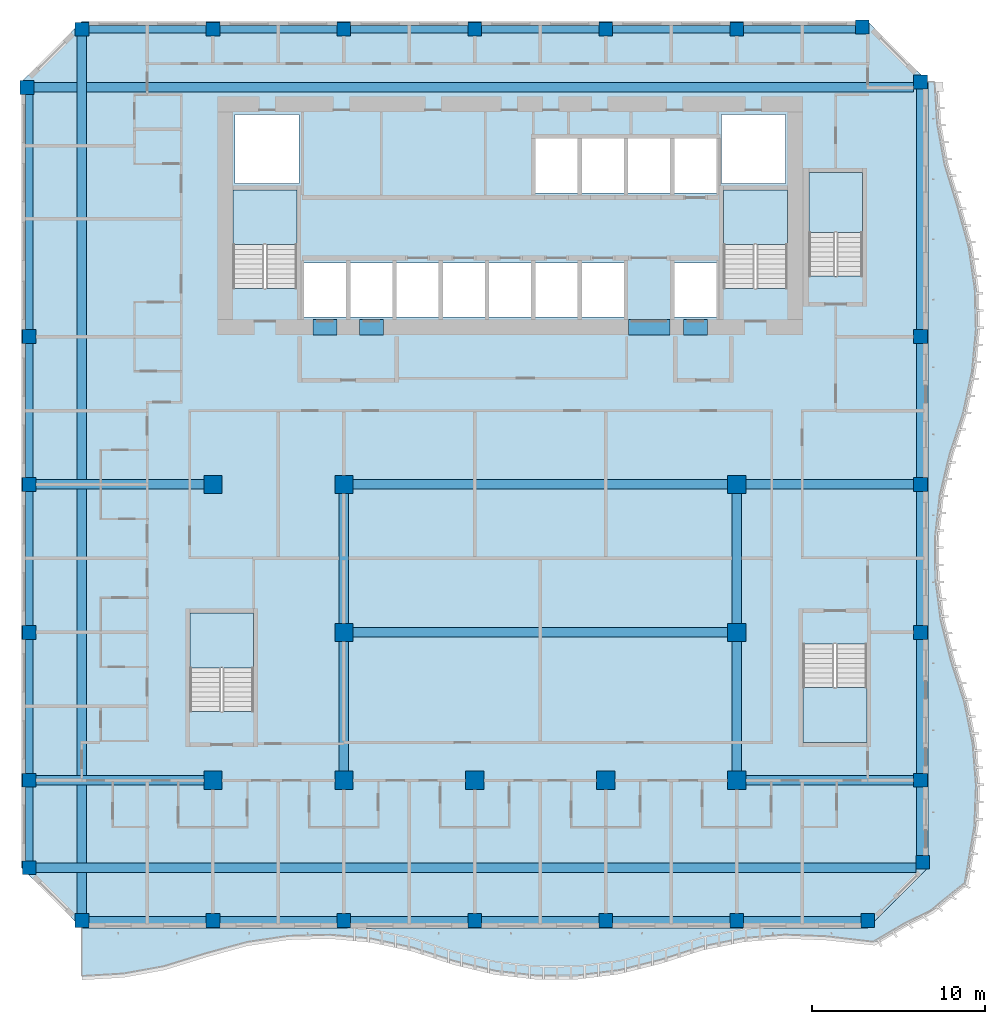
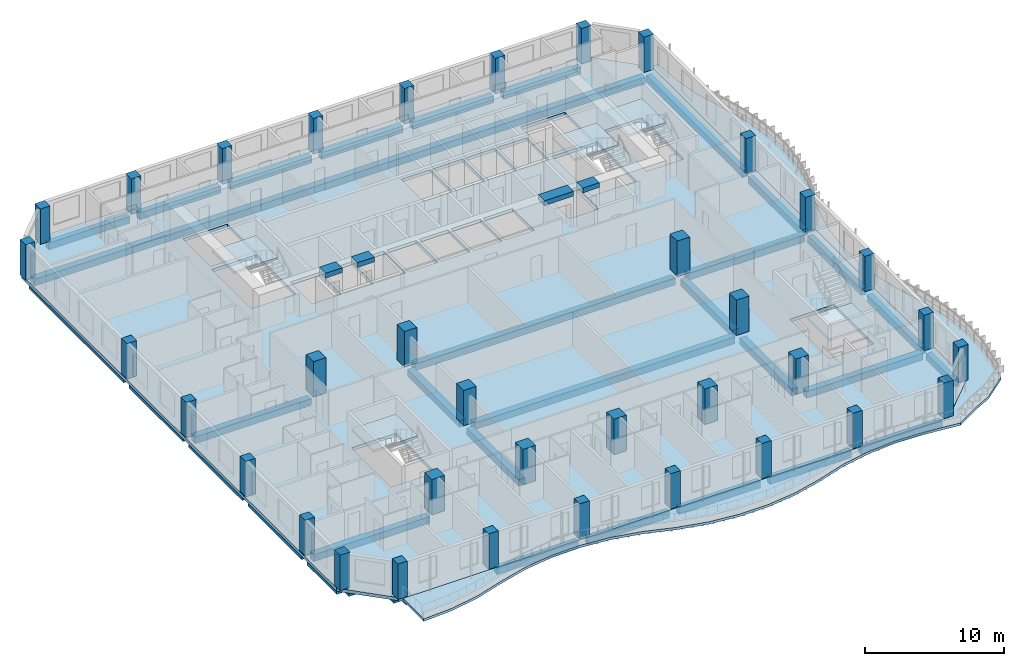
# One storey, part 1 of 22: 39 beams, 36 columns, 7 slabs, 5 elements without a shape of their own.
"""IFC4 building model written with IfcOpenShell, lengths in metres."""

from ifc_helpers import new_model, si_unit, direction, frame, origin, origin_2d, place, context, subcontext, project, spatial, polyline, rectangle, outline, extrude, source, transform, mapped, material, layer, layer_set, material_profile, profile_set, type_object, element, aggregate, save


model = new_model("IFC4")

# Units and contexts
model_context = context("Model", 3, precision=1e-05, world=origin(), true_north=direction((0.0, 1.0)))
body_context = subcontext(model_context, "Body", "Model", "MODEL_VIEW")
ifc_project = project(units=[si_unit("LENGTHUNIT", "METRE"), si_unit("AREAUNIT", "SQUARE_METRE"), si_unit("VOLUMEUNIT", "CUBIC_METRE"), si_unit("PLANEANGLEUNIT", "RADIAN"), si_unit("MASSUNIT", "GRAM", prefix="KILO")], contexts=[model_context])

# Site, building, storey
site_placement = place(None, origin())
site = spatial("IfcSite", under=ifc_project, at=site_placement, CompositionType="ELEMENT")
building_placement = place(site_placement, origin())
building = spatial("IfcBuilding", under=site, at=building_placement, Name="Kilnfold Tower and Market Hall", CompositionType="ELEMENT")
storey_placement = place(building_placement, frame((0.0, 0.0, 171.89990234375)))
storey = spatial("IfcBuildingStorey", under=building, at=storey_placement, Name="L40", CompositionType="ELEMENT", Elevation=171.89990234375)

# Columns
ifc_material_1 = material(Name="Concrete C70", Category="concrete")
ifc_material_profile_1 = material_profile(ifc_material_1, rectangle(XDim=0.800048828125, YDim=0.800048828125, at=origin_2d()), Name="RC 800x800")
ifc_profile_set_1 = profile_set([ifc_material_profile_1], Name="Concrete C70")
column_type_1 = type_object("IfcColumnType", Name="COLUMN 800X800 C70", PredefinedType="COLUMN", material=ifc_profile_set_1)
shared_shape_1 = source(origin(), body_context, "Body", "SweptSolid", [
    extrude(rectangle(XDim=0.800048828125, YDim=0.800048828125, at=origin_2d()), origin(), (0.0, 0.0, 1.0), 3.1201171875),
])
for number, where, z_axis, x_axis, name in (
    (1, (-26.931884765625, 22.431884765625, 0.0), (0.0, 0.0, 1.0), (1.0, 0.0, 0.0), "Column C-B5-1H"),
    (2, (-26.800048828125, -22.75, 0.0), (0.0, 0.0, 1.0), (1.0, 0.0, 0.0), "Column C-B5-1B"),
    (3, (-26.800048828125, -17.6875, 0.0), (0.0, 0.0, 1.0), (1.0, 0.0, 0.0), "Column C-B5-1C"),
    (4, (-26.800048828125, -9.125, 0.0), (0.0, 0.0, 1.0), (1.0, 0.0, 0.0), "Column C-B5-1D"),
    (5, (-26.800048828125, -0.5625, 0.0), (0.0, 0.0, 1.0), (1.0, 0.0, 0.0), "Column C-B5-1E"),
    (6, (-26.800048828125, 8.0, 0.0), (0.0, 0.0, 1.0), (1.0, 0.0, 0.0), "Column C-B5-1F"),
    (7, (-23.75, -25.800048828125, 0.0), (0.0, 0.0, 1.0), (1.0, 0.0, 0.0), "Column C-B5-2A"),
    (8, (-23.75, 25.800048828125, 0.0), (0.0, 0.0, 1.0), (1.0, 0.0, 0.0), "Column C-B5-2I"),
    (9, (-16.166748046875, -25.800048828125, 0.0), (0.0, 0.0, 1.0), (1.0, 0.0, 0.0), "Column C-B5-3A"),
    (10, (-16.166748046875, 25.800048828125, 0.0), (0.0, 0.0, 1.0), (1.0, 0.0, 0.0), "Column C-B5-3I"),
    (11, (-8.583251953125, -25.800048828125, 0.0), (0.0, 0.0, 1.0), (1.0, 0.0, 0.0), "Column C-B5-4A"),
    (12, (-8.583251953125, 25.800048828125, 0.0), (0.0, 0.0, 1.0), (1.0, 0.0, 0.0), "Column C-B5-4I"),
    (13, (-1.0, -25.800048828125, 0.0), (0.0, 0.0, 1.0), (1.0, 0.0, 0.0), "Column C-B5-5A"),
    (14, (-1.0, 25.800048828125, 0.0), (0.0, 0.0, 1.0), (1.0, 0.0, 0.0), "Column C-B5-5I"),
    (15, (6.583251953125, -25.800048828125, 0.0), (0.0, 0.0, 1.0), (1.0, 0.0, 0.0), "Column C-B5-6A"),
    (16, (6.583251953125, 25.800048828125, 0.0), (0.0, 0.0, 1.0), (1.0, 0.0, 0.0), "Column C-B5-6I"),
    (17, (14.166748046875, -25.800048828125, 0.0), (0.0, 0.0, 1.0), (1.0, 0.0, 0.0), "Column C-B5-7A"),
    (18, (14.166748046875, 25.800048828125, 0.0), (0.0, 0.0, 1.0), (1.0, 0.0, 0.0), "Column C-B5-7I"),
    (19, (21.431884765625, 25.931884765625, 0.0), (0.0, 0.0, 1.0), (1.0, 0.0, 0.0), "Column C-B5-8I"),
    (20, (21.75, -25.800048828125, 0.0), (0.0, 0.0, 1.0), (1.0, 0.0, 0.0), "Column C-B5-8A"),
    (21, (24.800048828125, -17.6875, 0.0), (0.0, 0.0, 1.0), (1.0, 0.0, 0.0), "Column C-B5-9C"),
    (22, (24.800048828125, -9.125, 0.0), (0.0, 0.0, 1.0), (1.0, 0.0, 0.0), "Column C-B5-9D"),
    (23, (24.800048828125, -0.5625, 0.0), (0.0, 0.0, 1.0), (1.0, 0.0, 0.0), "Column C-B5-9E"),
    (24, (24.800048828125, 8.0, 0.0), (0.0, 0.0, 1.0), (1.0, 0.0, 0.0), "Column C-B5-9F"),
    (25, (24.800048828125, 22.75, 0.0), (0.0, 0.0, 1.0), (1.0, 0.0, 0.0), "Column C-B5-9H"),
    (26, (24.931884765625, -22.431884765625, 0.0), (0.0, 0.0, 1.0), (1.0, 0.0, 0.0), "Column C-B5-9B"),
):
    element("IfcColumn", number, at=place(storey_placement, frame(where, z_axis=z_axis, x_axis=x_axis)), inside=storey, type_object=column_type_1, Name=name, PredefinedType="COLUMN", context=body_context, shape_type="MappedRepresentation", body=[
        mapped(shared_shape_1, transform((0.0, 0.0, 0.0))),
    ])
ifc_material_2 = material(Name="Concrete C70", Category="concrete")
ifc_material_profile_2 = material_profile(ifc_material_2, rectangle(XDim=1.050048828125, YDim=1.050048828125, at=origin_2d()), Name="RC 1050x1050")
ifc_profile_set_2 = profile_set([ifc_material_profile_2], Name="Concrete C70")
column_type_2 = type_object("IfcColumnType", Name="COLUMN 1050X1050 C70", PredefinedType="COLUMN", material=ifc_profile_set_2)
shared_shape_2 = source(origin(), body_context, "Body", "SweptSolid", [
    extrude(rectangle(XDim=1.050048828125, YDim=1.050048828125, at=origin_2d()), origin(), (0.0, 0.0, 1.0), 3.1201171875),
])
for number, where, z_axis, x_axis, name in (
    (27, (-16.166748046875, -17.6875, 0.0), (0.0, 0.0, 1.0), (1.0, 0.0, 0.0), "Column C-B5-3C"),
    (28, (-16.166748046875, -0.5625, 0.0), (0.0, 0.0, 1.0), (1.0, 0.0, 0.0), "Column C-B5-3E"),
    (29, (-8.583251953125, -17.6875, 0.0), (0.0, 0.0, 1.0), (1.0, 0.0, 0.0), "Column C-B5-4C"),
    (30, (-8.583251953125, -9.125, 0.0), (0.0, 0.0, 1.0), (1.0, 0.0, 0.0), "Column C-B5-4D"),
    (31, (-8.583251953125, -0.5625, 0.0), (0.0, 0.0, 1.0), (1.0, 0.0, 0.0), "Column C-B5-4E"),
    (32, (-1.0, -17.6875, 0.0), (0.0, 0.0, 1.0), (1.0, 0.0, 0.0), "Column C-B5-5C"),
    (33, (6.583251953125, -17.6875, 0.0), (0.0, 0.0, 1.0), (1.0, 0.0, 0.0), "Column C-B5-6C"),
    (34, (14.166748046875, -17.6875, 0.0), (0.0, 0.0, 1.0), (1.0, 0.0, 0.0), "Column C-B5-7C"),
    (35, (14.166748046875, -9.125, 0.0), (0.0, 0.0, 1.0), (1.0, 0.0, 0.0), "Column C-B5-7D"),
    (36, (14.166748046875, -0.5625, 0.0), (0.0, 0.0, 1.0), (1.0, 0.0, 0.0), "Column C-B5-7E"),
):
    element("IfcColumn", number, at=place(storey_placement, frame(where, z_axis=z_axis, x_axis=x_axis)), inside=storey, type_object=column_type_2, Name=name, PredefinedType="COLUMN", context=body_context, shape_type="MappedRepresentation", body=[
        mapped(shared_shape_2, transform((0.0, 0.0, 0.0))),
    ])

# Beams
ifc_material_3 = material(Name="Concrete C70", Category="concrete")
ifc_material_profile_3 = material_profile(ifc_material_3, rectangle(XDim=0.89990234375, YDim=0.419921875, at=origin_2d()), Name="RC 900x420")
ifc_profile_set_3 = profile_set([ifc_material_profile_3], Name="Concrete C70")
beam_type_1 = type_object("IfcBeamType", Name="COUPLING BEAM 900X420 C70", PredefinedType="BEAM", material=ifc_profile_set_3)
shared_shape_3 = source(origin(), body_context, "Body", "SweptSolid", [
    extrude(rectangle(XDim=0.89990234375, YDim=0.419921875, at=origin_2d()), origin(), (0.0, 0.0, 1.0), 1.400146484375),
])
beam_1_placement = place(storey_placement, frame((-10.3701171875, 8.550048828125, 2.91015625), z_axis=(1.0, 0.0, 0.0), x_axis=(0.0, 1.0, 0.0)))
element("IfcBeam", 37, at=beam_1_placement, inside=storey, type_object=beam_type_1, Name="Coupling beam CB420-70-CORE.37", PredefinedType="BEAM", context=body_context, shape_type="MappedRepresentation", body=[
    mapped(shared_shape_3, transform((0.0, 0.0, 0.0))),
])
shared_shape_4 = source(origin(), body_context, "Body", "SweptSolid", [
    extrude(rectangle(XDim=0.89990234375, YDim=0.419921875, at=origin_2d()), origin(), (0.0, 0.0, 1.0), 1.39990234375),
])
for number, where, z_axis, x_axis, name in (
    (38, (-7.68994140625, 8.550048828125, 2.91015625), (1.0, 0.0, 0.0), (0.0, 1.0, 0.0), "Coupling beam CB420-70-CORE.38"),
    (39, (11.070068359375, 8.550048828125, 2.91015625), (1.0, 0.0, 0.0), (0.0, 1.0, 0.0), "Coupling beam CB420-70-CORE.40"),
):
    element("IfcBeam", number, at=place(storey_placement, frame(where, z_axis=z_axis, x_axis=x_axis)), inside=storey, type_object=beam_type_1, Name=name, PredefinedType="BEAM", context=body_context, shape_type="MappedRepresentation", body=[
        mapped(shared_shape_4, transform((0.0, 0.0, 0.0))),
    ])
shared_shape_5 = source(origin(), body_context, "Body", "SweptSolid", [
    extrude(rectangle(XDim=0.89990234375, YDim=0.419921875, at=origin_2d()), origin(), (0.0, 0.0, 1.0), 2.400146484375),
])
beam_2_placement = place(storey_placement, frame((7.889892578125, 8.550048828125, 2.91015625), z_axis=(1.0, 0.0, 0.0), x_axis=(0.0, 1.0, 0.0)))
element("IfcBeam", 40, at=beam_2_placement, inside=storey, type_object=beam_type_1, Name="Coupling beam CB420-70-CORE.39", PredefinedType="BEAM", context=body_context, shape_type="MappedRepresentation", body=[
    mapped(shared_shape_5, transform((0.0, 0.0, 0.0))),
])
ifc_material_4 = material(Name="Concrete C45", Category="concrete")
ifc_material_profile_4 = material_profile(ifc_material_4, rectangle(XDim=0.449951171875, YDim=0.60009765625, at=origin_2d()), Name="RC 450x600")
ifc_profile_set_4 = profile_set([ifc_material_profile_4], Name="Concrete C45")
beam_type_2 = type_object("IfcBeamType", Name="EDGE BEAM 450X600 C45", PredefinedType="BEAM", material=ifc_profile_set_4)
shared_shape_6 = source(origin(), body_context, "Body", "SweptSolid", [
    extrude(rectangle(XDim=0.449951171875, YDim=0.60009765625, at=origin_2d()), origin(), (0.0, 0.0, 1.0), 6.783447265625),
])
for number, where, z_axis, x_axis, name in (
    (41, (-23.35009765625, -25.800048828125, -0.579833984375), (1.0, 0.0, 0.0), (0.0, 1.0, 0.0), "Beam EB600-B5.45"),
    (42, (-8.183349609375, -25.800048828125, -0.579833984375), (1.0, 0.0, 0.0), (0.0, 1.0, 0.0), "Beam EB600-B5.47"),
    (43, (-0.60009765625, -25.800048828125, -0.579833984375), (1.0, 0.0, 0.0), (0.0, 1.0, 0.0), "Beam EB600-B5.48"),
    (44, (14.566650390625, -25.800048828125, -0.579833984375), (1.0, 0.0, 0.0), (0.0, 1.0, 0.0), "Beam EB600-B5.50"),
    (45, (-23.35009765625, 25.800048828125, -0.579833984375), (1.0, 0.0, 0.0), (0.0, 1.0, 0.0), "Beam EB600-B5.59"),
    (46, (-8.183349609375, 25.800048828125, -0.579833984375), (1.0, 0.0, 0.0), (0.0, 1.0, 0.0), "Beam EB600-B5.61"),
    (47, (-0.60009765625, 25.800048828125, -0.579833984375), (1.0, 0.0, 0.0), (0.0, 1.0, 0.0), "Beam EB600-B5.62"),
):
    element("IfcBeam", number, at=place(storey_placement, frame(where, z_axis=z_axis, x_axis=x_axis)), inside=storey, type_object=beam_type_2, Name=name, PredefinedType="BEAM", context=body_context, shape_type="MappedRepresentation", body=[
        mapped(shared_shape_6, transform((0.0, 0.0, 0.0))),
    ])
shared_shape_7 = source(origin(), body_context, "Body", "SweptSolid", [
    extrude(rectangle(XDim=0.449951171875, YDim=0.60009765625, at=origin_2d()), origin(), (0.0, 0.0, 1.0), 6.783203125),
])
for number, where, z_axis, x_axis, name in (
    (48, (-15.7666015625, -25.800048828125, -0.579833984375), (1.0, 0.0, 0.0), (0.0, 1.0, 0.0), "Beam EB600-B5.46"),
    (49, (6.9833984375, -25.800048828125, -0.579833984375), (1.0, 0.0, 0.0), (0.0, 1.0, 0.0), "Beam EB600-B5.49"),
    (50, (-15.7666015625, 25.800048828125, -0.579833984375), (1.0, 0.0, 0.0), (0.0, 1.0, 0.0), "Beam EB600-B5.60"),
    (51, (6.9833984375, 25.800048828125, -0.579833984375), (1.0, 0.0, 0.0), (0.0, 1.0, 0.0), "Beam EB600-B5.63"),
):
    element("IfcBeam", number, at=place(storey_placement, frame(where, z_axis=z_axis, x_axis=x_axis)), inside=storey, type_object=beam_type_2, Name=name, PredefinedType="BEAM", context=body_context, shape_type="MappedRepresentation", body=[
        mapped(shared_shape_7, transform((0.0, 0.0, 0.0))),
    ])
ifc_material_5 = material(Name="Concrete C45", Category="concrete")
ifc_material_profile_5 = material_profile(ifc_material_5, rectangle(XDim=0.550048828125, YDim=0.60009765625, at=origin_2d()), Name="RC 550x600")
ifc_profile_set_5 = profile_set([ifc_material_profile_5], Name="Concrete C45")
beam_type_3 = type_object("IfcBeamType", Name="BEAM 550X600 C45", PredefinedType="BEAM", material=ifc_profile_set_5)
shared_shape_8 = source(origin(), body_context, "Body", "SweptSolid", [
    extrude(rectangle(XDim=0.550048828125, YDim=0.60009765625, at=origin_2d()), origin(), (0.0, 0.0, 1.0), 50.931640625),
])
for number, where, z_axis, x_axis, name in (
    (52, (-26.39990234375, -22.75, -0.579833984375), (1.0, 0.0, 0.0), (0.0, 1.0, 0.0), "Beam BB600-B5.51"),
    (53, (-26.53173828125, 22.429931640625, -0.579833984375), (1.0, 0.0, 0.0), (0.0, 1.0, 0.0), "Beam BB600-B5.58"),
):
    element("IfcBeam", number, at=place(storey_placement, frame(where, z_axis=z_axis, x_axis=x_axis)), inside=storey, type_object=beam_type_3, Name=name, PredefinedType="BEAM", context=body_context, shape_type="MappedRepresentation", body=[
        mapped(shared_shape_8, transform((0.0, 0.0, 0.0))),
    ])
shared_shape_9 = source(origin(), body_context, "Body", "SweptSolid", [
    extrude(rectangle(XDim=0.449951171875, YDim=0.60009765625, at=origin_2d()), origin(), (0.0, 0.0, 1.0), 6.465087890625),
])
beam_3_placement = place(storey_placement, frame((14.566650390625, 25.800048828125, -0.579833984375), z_axis=(1.0, 0.0, 0.0), x_axis=(0.0, 1.0, 0.0)))
element("IfcBeam", 54, at=beam_3_placement, inside=storey, type_object=beam_type_2, Name="Beam EB600-B5.64", PredefinedType="BEAM", context=body_context, shape_type="MappedRepresentation", body=[
    mapped(shared_shape_9, transform((0.0, 0.0, 0.0))),
])
shared_shape_10 = source(origin(), body_context, "Body", "SweptSolid", [
    extrude(rectangle(XDim=0.550048828125, YDim=0.60009765625, at=origin_2d()), origin(), (0.0, 0.0, 1.0), 50.7998046875),
])
beam_4_placement = place(storey_placement, frame((-23.75, -25.39990234375, -0.579833984375), z_axis=(0.0, 1.0, 0.0), x_axis=(-1.0, 0.0, 0.0)))
element("IfcBeam", 55, at=beam_4_placement, inside=storey, type_object=beam_type_3, Name="Beam BB600-B5.70", PredefinedType="BEAM", context=body_context, shape_type="MappedRepresentation", body=[
    mapped(shared_shape_10, transform((0.0, 0.0, 0.0))),
])
shared_shape_11 = source(origin(), body_context, "Body", "SweptSolid", [
    extrude(rectangle(XDim=0.550048828125, YDim=0.60009765625, at=origin_2d()), origin(), (0.0, 0.0, 1.0), 9.708251953125),
])
for number, where, z_axis, x_axis, name in (
    (56, (-26.39990234375, -17.68994140625, -0.579833984375), (1.0, 0.0, 0.0), (0.0, 1.0, 0.0), "Beam BB600-B5.52"),
    (57, (14.691650390625, -17.68994140625, -0.579833984375), (1.0, 0.0, 0.0), (0.0, 1.0, 0.0), "Beam BB600-B5.53"),
    (58, (-26.39990234375, -0.56005859375, -0.579833984375), (1.0, 0.0, 0.0), (0.0, 1.0, 0.0), "Beam BB600-B5.55"),
    (59, (14.691650390625, -0.56005859375, -0.579833984375), (1.0, 0.0, 0.0), (0.0, 1.0, 0.0), "Beam BB600-B5.57"),
):
    element("IfcBeam", number, at=place(storey_placement, frame(where, z_axis=z_axis, x_axis=x_axis)), inside=storey, type_object=beam_type_3, Name=name, PredefinedType="BEAM", context=body_context, shape_type="MappedRepresentation", body=[
        mapped(shared_shape_11, transform((0.0, 0.0, 0.0))),
    ])
shared_shape_12 = source(origin(), body_context, "Body", "SweptSolid", [
    extrude(rectangle(XDim=0.550048828125, YDim=0.60009765625, at=origin_2d()), origin(), (0.0, 0.0, 1.0), 21.699951171875),
])
for number, where, z_axis, x_axis, name in (
    (60, (-8.058349609375, -9.1201171875, -0.579833984375), (1.0, 0.0, 0.0), (0.0, 1.0, 0.0), "Beam BB600-B5.54"),
    (61, (-8.058349609375, -0.56005859375, -0.579833984375), (1.0, 0.0, 0.0), (0.0, 1.0, 0.0), "Beam BB600-B5.56"),
):
    element("IfcBeam", number, at=place(storey_placement, frame(where, z_axis=z_axis, x_axis=x_axis)), inside=storey, type_object=beam_type_3, Name=name, PredefinedType="BEAM", context=body_context, shape_type="MappedRepresentation", body=[
        mapped(shared_shape_12, transform((0.0, 0.0, 0.0))),
    ])
shared_shape_13 = source(origin(), body_context, "Body", "SweptSolid", [
    extrude(rectangle(XDim=0.449951171875, YDim=0.60009765625, at=origin_2d()), origin(), (0.0, 0.0, 1.0), 4.2626953125),
])
beam_5_placement = place(storey_placement, frame((-26.800048828125, -22.35009765625, -0.579833984375), z_axis=(0.0, 1.0, 0.0), x_axis=(-1.0, 0.0, 0.0)))
element("IfcBeam", 62, at=beam_5_placement, inside=storey, type_object=beam_type_2, Name="Beam EB600-B5.65", PredefinedType="BEAM", context=body_context, shape_type="MappedRepresentation", body=[
    mapped(shared_shape_13, transform((0.0, 0.0, 0.0))),
])
shared_shape_14 = source(origin(), body_context, "Body", "SweptSolid", [
    extrude(rectangle(XDim=0.449951171875, YDim=0.60009765625, at=origin_2d()), origin(), (0.0, 0.0, 1.0), 7.7626953125),
])
for number, where, z_axis, x_axis, name in (
    (63, (-26.800048828125, -17.28759765625, -0.579833984375), (0.0, 1.0, 0.0), (-1.0, 0.0, 0.0), "Beam EB600-B5.66"),
    (64, (-26.800048828125, -8.72509765625, -0.579833984375), (0.0, 1.0, 0.0), (-1.0, 0.0, 0.0), "Beam EB600-B5.67"),
    (65, (-26.800048828125, -0.16259765625, -0.579833984375), (0.0, 1.0, 0.0), (-1.0, 0.0, 0.0), "Beam EB600-B5.68"),
    (66, (24.800048828125, -17.28759765625, -0.579833984375), (0.0, 1.0, 0.0), (-1.0, 0.0, 0.0), "Beam EB600-B5.76"),
    (67, (24.800048828125, -8.72509765625, -0.579833984375), (0.0, 1.0, 0.0), (-1.0, 0.0, 0.0), "Beam EB600-B5.77"),
    (68, (24.800048828125, -0.16259765625, -0.579833984375), (0.0, 1.0, 0.0), (-1.0, 0.0, 0.0), "Beam EB600-B5.78"),
):
    element("IfcBeam", number, at=place(storey_placement, frame(where, z_axis=z_axis, x_axis=x_axis)), inside=storey, type_object=beam_type_2, Name=name, PredefinedType="BEAM", context=body_context, shape_type="MappedRepresentation", body=[
        mapped(shared_shape_14, transform((0.0, 0.0, 0.0))),
    ])
shared_shape_15 = source(origin(), body_context, "Body", "SweptSolid", [
    extrude(rectangle(XDim=0.449951171875, YDim=0.60009765625, at=origin_2d()), origin(), (0.0, 0.0, 1.0), 13.6318359375),
])
beam_6_placement = place(storey_placement, frame((-26.800048828125, 8.39990234375, -0.579833984375), z_axis=(0.0, 1.0, 0.0), x_axis=(-1.0, 0.0, 0.0)))
element("IfcBeam", 69, at=beam_6_placement, inside=storey, type_object=beam_type_2, Name="Beam EB600-B5.69", PredefinedType="BEAM", context=body_context, shape_type="MappedRepresentation", body=[
    mapped(shared_shape_15, transform((0.0, 0.0, 0.0))),
])
shared_shape_16 = source(origin(), body_context, "Body", "SweptSolid", [
    extrude(rectangle(XDim=0.550048828125, YDim=0.60009765625, at=origin_2d()), origin(), (0.0, 0.0, 1.0), 7.5126953125),
])
for number, where, z_axis, x_axis, name in (
    (70, (-8.580078125, -17.16259765625, -0.579833984375), (0.0, 1.0, 0.0), (-1.0, 0.0, 0.0), "Beam BB600-B5.71"),
    (71, (-8.580078125, -8.60009765625, -0.579833984375), (0.0, 1.0, 0.0), (-1.0, 0.0, 0.0), "Beam BB600-B5.72"),
    (72, (14.169921875, -17.16259765625, -0.579833984375), (0.0, 1.0, 0.0), (-1.0, 0.0, 0.0), "Beam BB600-B5.73"),
    (73, (14.169921875, -8.60009765625, -0.579833984375), (0.0, 1.0, 0.0), (-1.0, 0.0, 0.0), "Beam BB600-B5.74"),
):
    element("IfcBeam", number, at=place(storey_placement, frame(where, z_axis=z_axis, x_axis=x_axis)), inside=storey, type_object=beam_type_3, Name=name, PredefinedType="BEAM", context=body_context, shape_type="MappedRepresentation", body=[
        mapped(shared_shape_16, transform((0.0, 0.0, 0.0))),
    ])
shared_shape_17 = source(origin(), body_context, "Body", "SweptSolid", [
    extrude(rectangle(XDim=0.449951171875, YDim=0.60009765625, at=origin_2d()), origin(), (0.0, 0.0, 1.0), 3.9443359375),
])
beam_7_placement = place(storey_placement, frame((24.800048828125, -22.03173828125, -0.579833984375), z_axis=(0.0, 1.0, 0.0), x_axis=(-1.0, 0.0, 0.0)))
element("IfcBeam", 74, at=beam_7_placement, inside=storey, type_object=beam_type_2, Name="Beam EB600-B5.75", PredefinedType="BEAM", context=body_context, shape_type="MappedRepresentation", body=[
    mapped(shared_shape_17, transform((0.0, 0.0, 0.0))),
])
shared_shape_18 = source(origin(), body_context, "Body", "SweptSolid", [
    extrude(rectangle(XDim=0.449951171875, YDim=0.60009765625, at=origin_2d()), origin(), (0.0, 0.0, 1.0), 13.9501953125),
])
beam_8_placement = place(storey_placement, frame((24.800048828125, 8.39990234375, -0.579833984375), z_axis=(0.0, 1.0, 0.0), x_axis=(-1.0, 0.0, 0.0)))
element("IfcBeam", 75, at=beam_8_placement, inside=storey, type_object=beam_type_2, Name="Beam EB600-B5.79", PredefinedType="BEAM", context=body_context, shape_type="MappedRepresentation", body=[
    mapped(shared_shape_18, transform((0.0, 0.0, 0.0))),
])

# Slabs
ifc_material_6 = material(Name="Concrete C45", Category="concrete")
ifc_layer_1 = layer(ifc_material_6, 0.280029296875)
ifc_layer_set_1 = layer_set([ifc_layer_1], Name="Concrete C45")
slab_type_1 = type_object("IfcSlabType", Name="FLOOR SLAB 280", PredefinedType="FLOOR", material=ifc_layer_set_1)
shared_shape_19 = source(origin(), body_context, "Body", "SweptSolid", [
    extrude(outline(polyline([(-23.75, -26.25), (21.75, -26.25), (25.25, -22.75), (25.25, 22.75), (21.75, 26.25), (-23.75, 26.25), (-27.25, 22.75), (-27.25, -22.75), (-23.75, -26.25)]), holes=[polyline([(-13.800537109375, -13.699462890625), (-17.49951171875, -13.699462890625), (-17.49951171875, -8.00048828125), (-13.800537109375, -8.00048828125), (-13.800537109375, -13.699462890625)]), polyline([(-14.99951171875, 10.800537109375), (-14.99951171875, 16.49951171875), (-11.300537109375, 16.49951171875), (-11.300537109375, 10.800537109375), (-14.99951171875, 10.800537109375)]), polyline([(-11.175048828125, 16.875), (-14.875, 16.875), (-14.875, 20.875), (-11.175048828125, 20.875), (-11.175048828125, 16.875)]), polyline([(-8.455078125, 9.125), (-10.885009765625, 9.125), (-10.885009765625, 12.27490234375), (-8.455078125, 12.27490234375), (-8.455078125, 9.125)]), polyline([(-5.77490234375, 9.125), (-8.205078125, 9.125), (-8.205078125, 12.27490234375), (-5.77490234375, 12.27490234375), (-5.77490234375, 9.125)]), polyline([(-3.094970703125, 9.125), (-5.52490234375, 9.125), (-5.52490234375, 12.27490234375), (-3.094970703125, 12.27490234375), (-3.094970703125, 9.125)]), polyline([(-0.4150390625, 9.125), (-2.844970703125, 9.125), (-2.844970703125, 12.27490234375), (-0.4150390625, 12.27490234375), (-0.4150390625, 9.125)]), polyline([(2.264892578125, 9.125), (-0.1650390625, 9.125), (-0.1650390625, 12.27490234375), (2.264892578125, 12.27490234375), (2.264892578125, 9.125)]), polyline([(4.945068359375, 9.125), (2.514892578125, 9.125), (2.514892578125, 12.27490234375), (4.945068359375, 12.27490234375), (4.945068359375, 9.125)]), polyline([(2.514892578125, 16.324951171875), (2.514892578125, 19.47509765625), (4.945068359375, 19.47509765625), (4.945068359375, 16.324951171875), (2.514892578125, 16.324951171875)]), polyline([(7.625, 9.125), (5.195068359375, 9.125), (5.195068359375, 12.27490234375), (7.625, 12.27490234375), (7.625, 9.125)]), polyline([(7.625, 16.324951171875), (5.195068359375, 16.324951171875), (5.195068359375, 19.47509765625), (7.625, 19.47509765625), (7.625, 16.324951171875)]), polyline([(10.304931640625, 16.324951171875), (7.875, 16.324951171875), (7.875, 19.47509765625), (10.304931640625, 19.47509765625), (10.304931640625, 16.324951171875)]), polyline([(10.554931640625, 9.125), (10.554931640625, 12.27490234375), (12.985107421875, 12.27490234375), (12.985107421875, 9.125), (10.554931640625, 9.125)]), polyline([(10.554931640625, 16.324951171875), (10.554931640625, 19.47509765625), (12.985107421875, 19.47509765625), (12.985107421875, 16.324951171875), (10.554931640625, 16.324951171875)]), polyline([(13.27490234375, 16.875), (13.27490234375, 20.875), (16.97509765625, 20.875), (16.97509765625, 16.875), (13.27490234375, 16.875)]), polyline([(13.400390625, 10.800537109375), (13.400390625, 16.49951171875), (17.099609375, 16.49951171875), (17.099609375, 10.800537109375), (13.400390625, 10.800537109375)]), polyline([(18.00048828125, -9.800537109375), (21.699462890625, -9.800537109375), (21.699462890625, -15.49951171875), (18.00048828125, -15.49951171875), (18.00048828125, -9.800537109375)]), polyline([(21.449462890625, 11.50048828125), (18.3505859375, 11.50048828125), (18.3505859375, 17.49951171875), (21.449462890625, 17.49951171875), (21.449462890625, 11.50048828125)])]), origin(), (0.0, 0.0, 1.0), 0.280029296875),
])
slab_1_placement = place(storey_placement, frame((0.0, 0.0, -0.280029296875)))
element("IfcSlab", 76, at=slab_1_placement, inside=storey, type_object=slab_type_1, Name="Floor slab L40", PredefinedType="FLOOR", context=body_context, shape_type="MappedRepresentation", body=[
    mapped(shared_shape_19, transform((0.0, 0.0, 0.0))),
])
ifc_material_7 = material(Name="Concrete C40/50", Category="concrete")
ifc_layer_2 = layer(ifc_material_7, 0.219970703125)
ifc_layer_set_2 = layer_set([ifc_layer_2], Name="Concrete C40/50")
slab_type_2 = type_object("IfcSlabType", Name="BALCONY SLAB 220", PredefinedType="FLOOR", material=ifc_layer_set_2)
shared_shape_20 = source(origin(), body_context, "Body", "SweptSolid", [
    extrude(outline(polyline([(-23.75, -26.25), (21.75, -26.25), (25.25, -22.75), (25.25, 22.75), (25.85009765625, 22.75), (25.99267578125, 20.355224609375), (26.427001953125, 17.96044921875), (27.166259765625, 15.56591796875), (27.822998046875, 13.171142578125), (28.17529296875, 10.7763671875), (28.2392578125, 8.381591796875), (28.01708984375, 5.98681640625), (27.49951171875, 3.592041015625), (26.720458984375, 1.197509765625), (26.150146484375, -1.197509765625), (25.87841796875, -3.592041015625), (25.893310546875, -5.98681640625), (26.195556640625, -8.381591796875), (26.79833984375, -10.7763671875), (27.568115234375, -13.171142578125), (28.053955078125, -15.56591796875), (28.245849609375, -17.96044921875), (28.152099609375, -20.355224609375), (27.577392578125, -23.714111328125), (25.552734375, -25.385986328125), (23.992919921875, -26.159423828125), (22.163818359375, -27.248779296875), (19.355224609375, -26.94775390625), (16.96044921875, -26.854248046875), (14.56591796875, -27.046142578125), (12.171142578125, -27.531982421875), (9.7763671875, -28.3017578125), (7.381591796875, -28.904541015625), (4.98681640625, -29.20654296875), (2.592041015625, -29.221435546875), (0.197509765625, -28.94970703125), (-2.197509765625, -28.379638671875), (-4.592041015625, -27.600341796875), (-6.98681640625, -27.082763671875), (-9.381591796875, -26.86083984375), (-11.7763671875, -26.924560546875), (-14.171142578125, -27.27685546875), (-16.56591796875, -27.933837890625), (-18.96044921875, -28.673095703125), (-21.355224609375, -29.107421875), (-23.75, -29.25), (-23.75, -26.25)])), origin(), (0.0, 0.0, 1.0), 0.219970703125),
])
slab_2_placement = place(storey_placement, frame((0.0, 0.0, -0.219970703125)))
element("IfcSlab", 77, at=slab_2_placement, inside=storey, type_object=slab_type_2, Name="Balcony slab L40", PredefinedType="FLOOR", context=body_context, shape_type="MappedRepresentation", body=[
    mapped(shared_shape_20, transform((0.0, 0.0, 0.0))),
])

# Stair, slab
ifc_material_8 = material(Name="Concrete C40/50", Category="concrete")
stair_type_1 = type_object("IfcStairType", Name="CORE STAIR 1800", PredefinedType="HALF_TURN_STAIR", material=ifc_material_8)
stair_1_placement = place(storey_placement, origin())
stair_1 = element("IfcStair", 78, at=stair_1_placement, inside=storey, type_object=stair_type_1, Name="L40 ST1", PredefinedType="HALF_TURN_STAIR")
ifc_material_9 = material(Name="Concrete C40/50", Category="concrete")
ifc_layer_3 = layer(ifc_material_9, 0.199951171875)
ifc_layer_set_3 = layer_set([ifc_layer_3], Name="Concrete C40/50")
slab_type_3 = type_object("IfcSlabType", Name="CORE STAIR LANDING 200", PredefinedType="LANDING", material=ifc_layer_set_3)
shared_shape_21 = source(origin(), body_context, "Body", "SweptSolid", [
    extrude(outline(polyline([(-11.300048828125, 13.320068359375), (-11.300048828125, 16.5), (-15.0, 16.5), (-15.0, 13.320068359375), (-11.300048828125, 13.320068359375)])), origin(), (0.0, 0.0, 1.0), 0.2001953125),
])
slab_3_placement = place(storey_placement, frame((0.0, 0.0, 1.5)))
slab_3 = element("IfcSlab", 79, at=slab_3_placement, type_object=slab_type_3, Name="ST1 landing 1", PredefinedType="LANDING", context=body_context, shape_type="MappedRepresentation", body=[
    mapped(shared_shape_21, transform((0.0, 0.0, 0.0))),
])
aggregate(stair_1, [slab_3])

stair_2_placement = place(storey_placement, origin())
stair_2 = element("IfcStair", 80, at=stair_2_placement, inside=storey, type_object=stair_type_1, Name="L40 ST2", PredefinedType="HALF_TURN_STAIR")
shared_shape_22 = source(origin(), body_context, "Body", "SweptSolid", [
    extrude(outline(polyline([(17.10009765625, 13.320068359375), (17.10009765625, 16.5), (13.39990234375, 16.5), (13.39990234375, 13.320068359375), (17.10009765625, 13.320068359375)])), origin(), (0.0, 0.0, 1.0), 0.2001953125),
])
slab_4_placement = place(storey_placement, frame((0.0, 0.0, 1.5)))
slab_4 = element("IfcSlab", 81, at=slab_4_placement, type_object=slab_type_3, Name="ST2 landing 1", PredefinedType="LANDING", context=body_context, shape_type="MappedRepresentation", body=[
    mapped(shared_shape_22, transform((0.0, 0.0, 0.0))),
])
aggregate(stair_2, [slab_4])

stair_3_placement = place(storey_placement, origin())
stair_3 = element("IfcStair", 82, at=stair_3_placement, inside=storey, type_object=stair_type_1, Name="L40 ST3", PredefinedType="HALF_TURN_STAIR")
shared_shape_23 = source(origin(), body_context, "Body", "SweptSolid", [
    extrude(outline(polyline([(-13.800048828125, -11.179931640625), (-13.800048828125, -8.0), (-17.5, -8.0), (-17.5, -11.179931640625), (-13.800048828125, -11.179931640625)])), origin(), (0.0, 0.0, 1.0), 0.2001953125),
])
slab_5_placement = place(storey_placement, frame((0.0, 0.0, 1.5)))
slab_5 = element("IfcSlab", 83, at=slab_5_placement, type_object=slab_type_3, Name="ST3 landing 1", PredefinedType="LANDING", context=body_context, shape_type="MappedRepresentation", body=[
    mapped(shared_shape_23, transform((0.0, 0.0, 0.0))),
])
aggregate(stair_3, [slab_5])

stair_4_placement = place(storey_placement, origin())
stair_4 = element("IfcStair", 84, at=stair_4_placement, inside=storey, type_object=stair_type_1, Name="L40 ST4", PredefinedType="HALF_TURN_STAIR")
shared_shape_24 = source(origin(), body_context, "Body", "SweptSolid", [
    extrude(outline(polyline([(18.0, -12.320068359375), (18.0, -15.5), (21.699951171875, -15.5), (21.699951171875, -12.320068359375), (18.0, -12.320068359375)])), origin(), (0.0, 0.0, 1.0), 0.2001953125),
])
slab_6_placement = place(storey_placement, frame((0.0, 0.0, 1.5)))
slab_6 = element("IfcSlab", 85, at=slab_6_placement, type_object=slab_type_3, Name="ST4 landing 1", PredefinedType="LANDING", context=body_context, shape_type="MappedRepresentation", body=[
    mapped(shared_shape_24, transform((0.0, 0.0, 0.0))),
])
aggregate(stair_4, [slab_6])

ifc_material_10 = material(Name="Concrete C40/50", Category="concrete")
stair_type_2 = type_object("IfcStairType", Name="CORE STAIR 1500", PredefinedType="HALF_TURN_STAIR", material=ifc_material_10)
stair_5_placement = place(storey_placement, origin())
stair_5 = element("IfcStair", 86, at=stair_5_placement, inside=storey, type_object=stair_type_2, Name="L40 ST5", PredefinedType="HALF_TURN_STAIR")
shared_shape_25 = source(origin(), body_context, "Body", "SweptSolid", [
    extrude(outline(polyline([(21.449951171875, 14.02001953125), (21.449951171875, 17.5), (18.35009765625, 17.5), (18.35009765625, 14.02001953125), (21.449951171875, 14.02001953125)])), origin(), (0.0, 0.0, 1.0), 0.2001953125),
])
slab_7_placement = place(storey_placement, frame((0.0, 0.0, 1.5)))
slab_7 = element("IfcSlab", 87, at=slab_7_placement, type_object=slab_type_3, Name="ST5 landing 1", PredefinedType="LANDING", context=body_context, shape_type="MappedRepresentation", body=[
    mapped(shared_shape_25, transform((0.0, 0.0, 0.0))),
])
aggregate(stair_5, [slab_7])

save(model, "model.ifc")
